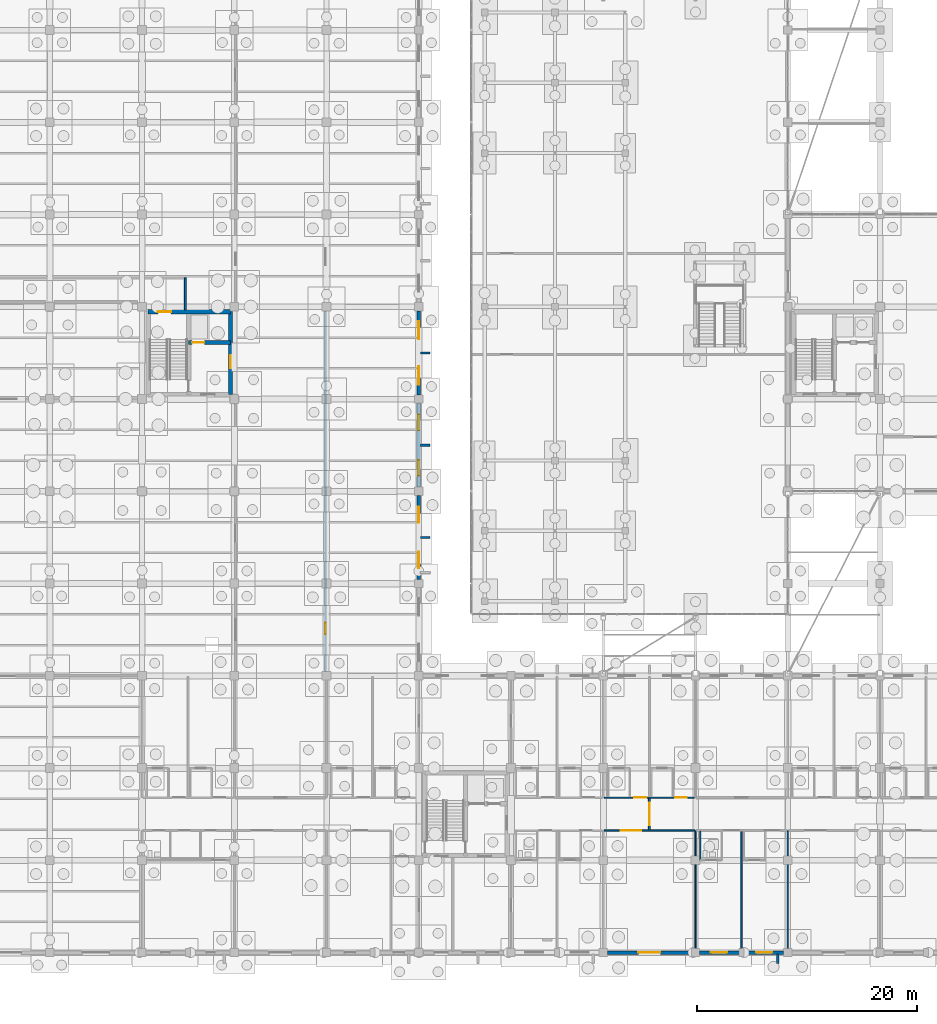
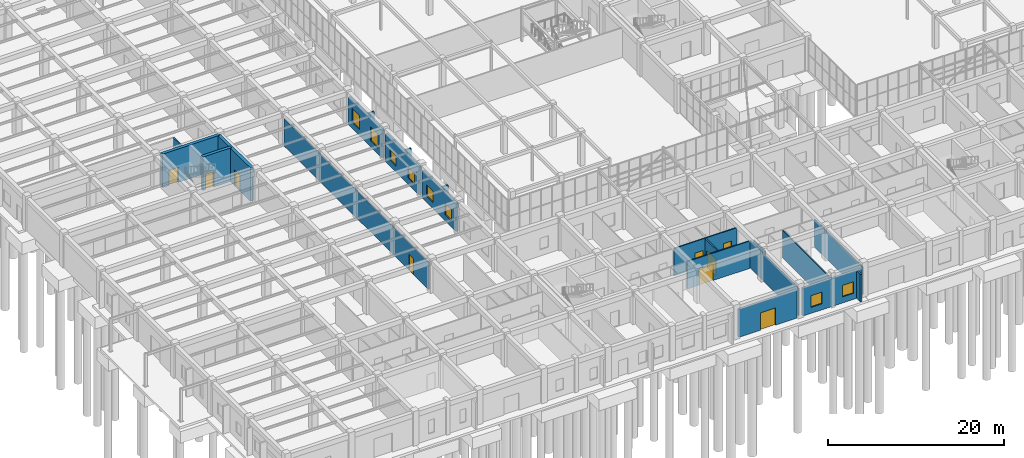
# One storey, part 153 of 192: 21 walls, 9 doors, 8 windows, 17 openings.
"""IFC4 building model written with IfcOpenShell, lengths in metres."""

from ifc_helpers import new_model, si_unit, direction, frame, frame_2d, origin, place, context, subcontext, project, spatial, rectangle, extrude, material, layer, layer_set, type_object, element, fill, save


model = new_model("IFC4")

# Units and contexts
model_context = context("Model", 3, precision=1e-05, world=origin(), true_north=direction((0.0, 1.0)))
body_context = subcontext(model_context, "Body", "Model", "MODEL_VIEW")
ifc_project = project(units=[si_unit("LENGTHUNIT", "METRE"), si_unit("AREAUNIT", "SQUARE_METRE"), si_unit("VOLUMEUNIT", "CUBIC_METRE"), si_unit("PLANEANGLEUNIT", "RADIAN"), si_unit("MASSUNIT", "GRAM", prefix="KILO")], contexts=[model_context])

# Site, building, storey
site_placement = place(None, origin())
site = spatial("IfcSite", under=ifc_project, at=site_placement, CompositionType="ELEMENT")
building_placement = place(site_placement, origin())
building = spatial("IfcBuilding", under=site, at=building_placement, Name="Trelvath General Hospital", CompositionType="ELEMENT")
storey_placement = place(building_placement, origin())
storey = spatial("IfcBuildingStorey", under=building, at=storey_placement, Name="L00", CompositionType="ELEMENT", Elevation=0.0)

# Walls
ifc_material_1 = material(Name="Precast concrete C40/50", Category="concrete")
ifc_layer_1 = layer(ifc_material_1, 0.199951171875)
ifc_layer_set_1 = layer_set([ifc_layer_1], Name="Precast concrete C40/50")
wall_type_1 = type_object("IfcWallType", Name="BriseSoleilRib 200", PredefinedType="ELEMENTEDWALL", material=ifc_layer_set_1)
for number, where, z_axis, x_axis, name in (
    (1, (42.14990234375, 37.800048828125, 0.0), (0.0, 0.0, 1.0), (1.0, 0.0, 0.0), "Precast Concrete Brise-Soleil Rib Fin L00-15"),
    (2, (42.14990234375, 46.199951171875, 0.0), (0.0, 0.0, 1.0), (1.0, 0.0, 0.0), "Precast Concrete Brise-Soleil Rib Fin L00-16"),
    (3, (42.14990234375, 54.60009765625, 0.0), (0.0, 0.0, 1.0), (1.0, 0.0, 0.0), "Precast Concrete Brise-Soleil Rib Fin L00-17"),
    (4, (74.689453125, -0.14990234375, 0.0), (0.0, 0.0, 1.0), (0.0, -1.0, 0.0), "Precast Concrete Brise-Soleil Rib Fin L00-30"),
):
    element("IfcWall", number, at=place(storey_placement, frame(where, z_axis=z_axis, x_axis=x_axis)), inside=storey, type_object=wall_type_1, Name=name, PredefinedType="ELEMENTEDWALL", context=body_context, shape_type="SweptSolid", body=[
        extrude(rectangle(XDim=0.85009765625, YDim=0.199951171875, at=frame_2d((0.425048828125, 0.0))), origin(), (0.0, 0.0, 1.0), 3.800048828125),
    ])

# Wall, opening, door
ifc_material_2 = material(Name="Gypsum acoustic steel-stud partition", Category="steel")
ifc_layer_2 = layer(ifc_material_2, 0.14990234375)
ifc_layer_set_2 = layer_set([ifc_layer_2], Name="Gypsum acoustic steel-stud partition")
wall_type_2 = type_object("IfcWallType", Name="ClinicalPartition 150", PredefinedType="PARTITIONING", material=ifc_layer_set_2)
wall_1_placement = place(storey_placement, frame((58.8798828125, 11.10009765625, 0.0), z_axis=(0.0, 0.0, 1.0), x_axis=(1.0, 0.0, 0.0)))
wall_1 = element("IfcWall", 5, at=wall_1_placement, inside=storey, type_object=wall_type_2, Name="Corridor Partition L00-64", PredefinedType="PARTITIONING", context=body_context, shape_type="SweptSolid", body=[
    extrude(rectangle(XDim=8.240234375, YDim=0.14990234375, at=frame_2d((4.1201171875, 0.0))), origin(), (0.0, 0.0, 1.0), 3.800048828125),
])
opening_1_placement = place(wall_1_placement, frame((1.530029296875, 0.0, 0.0)))
opening_1 = element("IfcOpeningElement", 6, at=opening_1_placement, cuts=wall_1, Name="Opening D-0-0313", PredefinedType="OPENING", context=body_context, shape_type="SweptSolid", body=[
    extrude(rectangle(XDim=1.85009765625, YDim=2.300048828125, at=frame_2d((0.925048828125, 1.14990234375))), frame((0.0, 0.0849609375, 0.0), z_axis=(0.0, -1.0, 0.0), x_axis=(1.0, 0.0, 0.0)), (0.0, 0.0, 1.0), 0.169921875),
])
ifc_material_3 = material(Name="Fire-rated steel cross-corridor pair", Category="steel")
door_type_1 = type_object("IfcDoorType", Name="Door SmokeCross 1850x2300", OperationType="DOUBLE_SWING_LEFT", PredefinedType="DOOR", material=ifc_material_3)
door_1_placement = place(opening_1_placement, origin())
door_1 = element("IfcDoor", 7, at=door_1_placement, inside=storey, type_object=door_type_1, Name="Waiting Lounge Door L00-313", OperationType="DOUBLE_SWING_LEFT", OverallHeight=2.300048828125, OverallWidth=1.85009765625, PredefinedType="DOOR", context=body_context, shape_type="SweptSolid", body=[
    extrude(rectangle(XDim=1.85009765625, YDim=2.300048828125, at=frame_2d((0.925048828125, 1.14990234375))), frame((0.0, 0.02490234375, 0.0), z_axis=(0.0, -1.0, 0.0), x_axis=(1.0, 0.0, 0.0)), (0.0, 0.0, 1.0), 0.050048828125),
])
fill(opening_1, door_1)

# Wall, openings, doors
wall_2_placement = place(storey_placement, frame((67.1201171875, 14.10009765625, 0.0), z_axis=(0.0, 0.0, 1.0), x_axis=(-1.0, 0.0, 0.0)))
wall_2 = element("IfcWall", 8, at=wall_2_placement, inside=storey, type_object=wall_type_2, Name="Corridor Partition N L00-65", PredefinedType="PARTITIONING", context=body_context, shape_type="SweptSolid", body=[
    extrude(rectangle(XDim=8.240234375, YDim=0.14990234375, at=frame_2d((4.1201171875, 0.0))), origin(), (0.0, 0.0, 1.0), 3.800048828125),
])
opening_2_placement = place(wall_2_placement, frame((0.72998046875, 0.0, 0.0)))
opening_2 = element("IfcOpeningElement", 9, at=opening_2_placement, cuts=wall_2, Name="Opening D-0-0314", PredefinedType="OPENING", context=body_context, shape_type="SweptSolid", body=[
    extrude(rectangle(XDim=1.050048828125, YDim=2.199951171875, at=frame_2d((0.52490234375, 1.10009765625))), frame((0.0, 0.0849609375, 0.0), z_axis=(0.0, -1.0, 0.0), x_axis=(1.0, 0.0, 0.0)), (0.0, 0.0, 1.0), 0.169921875),
])
opening_3_placement = place(wall_2_placement, frame((4.429931640625, 0.0, 0.0)))
opening_3 = element("IfcOpeningElement", 10, at=opening_3_placement, cuts=wall_2, Name="Opening D-0-0315", PredefinedType="OPENING", context=body_context, shape_type="SweptSolid", body=[
    extrude(rectangle(XDim=1.050048828125, YDim=2.199951171875, at=frame_2d((0.52490234375, 1.10009765625))), frame((0.0, 0.0849609375, 0.0), z_axis=(0.0, -1.0, 0.0), x_axis=(1.0, 0.0, 0.0)), (0.0, 0.0, 1.0), 0.169921875),
])
ifc_material_4 = material(Name="Acoustic hospital timber leaf", Category="wood")
door_type_2 = type_object("IfcDoorType", Name="Door Consult 1050x2200", OperationType="NOTDEFINED", PredefinedType="DOOR", material=ifc_material_4)
door_2_placement = place(opening_2_placement, origin())
door_2 = element("IfcDoor", 11, at=door_2_placement, inside=storey, type_object=door_type_2, Name="Patient Room Door N L00-314", OperationType="SINGLE_SWING_LEFT", OverallHeight=2.199951171875, OverallWidth=1.050048828125, PredefinedType="DOOR", context=body_context, shape_type="SweptSolid", body=[
    extrude(rectangle(XDim=1.050048828125, YDim=2.199951171875, at=frame_2d((0.52490234375, 1.10009765625))), frame((0.0, 0.02490234375, 0.0), z_axis=(0.0, -1.0, 0.0), x_axis=(1.0, 0.0, 0.0)), (0.0, 0.0, 1.0), 0.050048828125),
])
fill(opening_2, door_2)
door_3_placement = place(opening_3_placement, origin())
door_3 = element("IfcDoor", 12, at=door_3_placement, inside=storey, type_object=door_type_2, Name="Patient Room Door N L00-315", OperationType="SINGLE_SWING_LEFT", OverallHeight=2.199951171875, OverallWidth=1.050048828125, PredefinedType="DOOR", context=body_context, shape_type="SweptSolid", body=[
    extrude(rectangle(XDim=1.050048828125, YDim=2.199951171875, at=frame_2d((0.52490234375, 1.10009765625))), frame((0.0, 0.02490234375, 0.0), z_axis=(0.0, -1.0, 0.0), x_axis=(1.0, 0.0, 0.0)), (0.0, 0.0, 1.0), 0.050048828125),
])
fill(opening_3, door_3)

# Wall, opening, door
wall_3_placement = place(storey_placement, frame((33.5, 25.60009765625, 0.0), z_axis=(0.0, 0.0, 1.0), x_axis=(0.0, 1.0, 0.0)))
wall_3 = element("IfcWall", 13, at=wall_3_placement, inside=storey, type_object=wall_type_2, Name="Ultrasound Partition L00-326", PredefinedType="PARTITIONING", context=body_context, shape_type="SweptSolid", body=[
    extrude(rectangle(XDim=32.7998046875, YDim=0.14990234375, at=frame_2d((16.39990234375, 0.0))), origin(), (0.0, 0.0, 1.0), 3.800048828125),
])
opening_4_placement = place(wall_3_placement, frame((3.39990234375, 0.0, 0.0)))
opening_4 = element("IfcOpeningElement", 14, at=opening_4_placement, cuts=wall_3, Name="Opening D-0-0445", PredefinedType="OPENING", context=body_context, shape_type="SweptSolid", body=[
    extrude(rectangle(XDim=1.050048828125, YDim=2.199951171875, at=frame_2d((0.52490234375, 1.10009765625))), frame((0.0, 0.0849609375, 0.0), z_axis=(0.0, -1.0, 0.0), x_axis=(1.0, 0.0, 0.0)), (0.0, 0.0, 1.0), 0.169921875),
])
door_4_placement = place(opening_4_placement, origin())
door_4 = element("IfcDoor", 15, at=door_4_placement, inside=storey, type_object=door_type_2, Name="Ultrasound Door L00-445", OperationType="SINGLE_SWING_RIGHT", OverallHeight=2.199951171875, OverallWidth=1.050048828125, PredefinedType="DOOR", context=body_context, shape_type="SweptSolid", body=[
    extrude(rectangle(XDim=1.050048828125, YDim=2.199951171875, at=frame_2d((0.52490234375, 1.10009765625))), frame((0.0, 0.02490234375, 0.0), z_axis=(0.0, -1.0, 0.0), x_axis=(1.0, 0.0, 0.0)), (0.0, 0.0, 1.0), 0.050048828125),
])
fill(opening_4, door_4)

ifc_material_5 = material(Name="Concrete C40/50", Category="concrete")
ifc_layer_3 = layer(ifc_material_5, 0.39990234375)
ifc_layer_set_3 = layer_set([ifc_layer_3], Name="Concrete C40/50")
wall_type_3 = type_object("IfcWallType", Name="CoreShearWall 400", PredefinedType="SHEAR", material=ifc_layer_set_3)
wall_4_placement = place(storey_placement, frame((17.35009765625, 58.35009765625, 0.0), z_axis=(0.0, 0.0, 1.0), x_axis=(1.0, 0.0, 0.0)))
wall_4 = element("IfcWall", 16, at=wall_4_placement, inside=storey, type_object=wall_type_3, Name="Core Shear Wall C8 N L00", PredefinedType="SHEAR", context=body_context, shape_type="SweptSolid", body=[
    extrude(rectangle(XDim=7.5, YDim=0.39990234375, at=frame_2d((3.75, 0.0))), origin(), (0.0, 0.0, 1.0), 4.639892578125),
])
opening_5_placement = place(wall_4_placement, frame((0.89990234375, 0.0, 0.0)))
opening_5 = element("IfcOpeningElement", 17, at=opening_5_placement, cuts=wall_4, Name="Opening FD-EX8", PredefinedType="OPENING", context=body_context, shape_type="SweptSolid", body=[
    extrude(rectangle(XDim=1.199951171875, YDim=2.10009765625, at=frame_2d((0.60009765625, 1.050048828125))), frame((0.0, 0.2099609375, 0.0), z_axis=(0.0, -1.0, 0.0), x_axis=(1.0, 0.0, 0.0)), (0.0, 0.0, 1.0), 0.419921875),
])
ifc_material_6 = material(Name="Fire-rated steel door", Category="steel")
door_type_3 = type_object("IfcDoorType", Name="Door FireLobby 1200x2100", OperationType="NOTDEFINED", PredefinedType="DOOR", material=ifc_material_6)
door_5_placement = place(opening_5_placement, origin())
door_5 = element("IfcDoor", 18, at=door_5_placement, inside=storey, type_object=door_type_3, Name="Exit Stair Discharge Door ST8 L00", OperationType="SINGLE_SWING_LEFT", OverallHeight=2.10009765625, OverallWidth=1.199951171875, PredefinedType="DOOR", context=body_context, shape_type="SweptSolid", body=[
    extrude(rectangle(XDim=1.199951171875, YDim=2.10009765625, at=frame_2d((0.60009765625, 1.050048828125))), frame((0.0, 0.02490234375, 0.0), z_axis=(0.0, -1.0, 0.0), x_axis=(1.0, 0.0, 0.0)), (0.0, 0.0, 1.0), 0.050048828125),
])
fill(opening_5, door_5)

wall_5_placement = place(storey_placement, frame((24.85009765625, 50.800048828125, 0.0), z_axis=(0.0, 0.0, 1.0), x_axis=(0.0, 1.0, 0.0)))
wall_5 = element("IfcWall", 19, at=wall_5_placement, inside=storey, type_object=wall_type_3, Name="Core Shear Wall C8 E L00", PredefinedType="SHEAR", context=body_context, shape_type="SweptSolid", body=[
    extrude(rectangle(XDim=7.550048828125, YDim=0.39990234375, at=frame_2d((3.77490234375, 0.0))), origin(), (0.0, 0.0, 1.0), 4.639892578125),
])
opening_6_placement = place(wall_5_placement, frame((2.39990234375, 0.0, 0.0)))
opening_6 = element("IfcOpeningElement", 20, at=opening_6_placement, cuts=wall_5, Name="Opening FD-LE80", PredefinedType="OPENING", context=body_context, shape_type="SweptSolid", body=[
    extrude(rectangle(XDim=1.199951171875, YDim=2.199951171875, at=frame_2d((0.60009765625, 1.10009765625))), frame((0.0, 0.2099609375, 0.0), z_axis=(0.0, -1.0, 0.0), x_axis=(1.0, 0.0, 0.0)), (0.0, 0.0, 1.0), 0.419921875),
])
ifc_material_7 = material(Name="Fire-rated steel door", Category="steel")
door_type_4 = type_object("IfcDoorType", Name="Door FireLobby 1200x2200", OperationType="NOTDEFINED", PredefinedType="DOOR", material=ifc_material_7)
door_6_placement = place(opening_6_placement, origin())
door_6 = element("IfcDoor", 21, at=door_6_placement, inside=storey, type_object=door_type_4, Name="Fire Lobby East Corridor Door C8 L00", OperationType="SINGLE_SWING_RIGHT", OverallHeight=2.199951171875, OverallWidth=1.199951171875, PredefinedType="DOOR", context=body_context, shape_type="SweptSolid", body=[
    extrude(rectangle(XDim=1.199951171875, YDim=2.199951171875, at=frame_2d((0.60009765625, 1.10009765625))), frame((0.0, 0.02490234375, 0.0), z_axis=(0.0, -1.0, 0.0), x_axis=(1.0, 0.0, 0.0)), (0.0, 0.0, 1.0), 0.050048828125),
])
fill(opening_6, door_6)

wall_6_placement = place(storey_placement, frame((21.050048828125, 55.550048828125, 0.0), z_axis=(0.0, 0.0, 1.0), x_axis=(1.0, 0.0, 0.0)))
wall_6 = element("IfcWall", 22, at=wall_6_placement, inside=storey, type_object=wall_type_3, Name="Core Shear Wall C8 SHAFT L00", PredefinedType="SHEAR", context=body_context, shape_type="SweptSolid", body=[
    extrude(rectangle(XDim=3.800048828125, YDim=0.39990234375, at=frame_2d((1.89990234375, 0.0))), origin(), (0.0, 0.0, 1.0), 4.639892578125),
])
opening_7_placement = place(wall_6_placement, frame((0.320068359375, 0.0, 0.0)))
opening_7 = element("IfcOpeningElement", 23, at=opening_7_placement, cuts=wall_6, Name="Opening LD-SL1-0", PredefinedType="OPENING", context=body_context, shape_type="SweptSolid", body=[
    extrude(rectangle(XDim=1.10009765625, YDim=2.14990234375, at=frame_2d((0.550048828125, 1.074951171875))), frame((0.0, 0.2099609375, 0.0), z_axis=(0.0, -1.0, 0.0), x_axis=(1.0, 0.0, 0.0)), (0.0, 0.0, 1.0), 0.419921875),
])
ifc_material_8 = material(Name="Stainless steel lift landing sliding door", Category="steel")
door_type_5 = type_object("IfcDoorType", Name="Door LiftLanding 1100x2150", OperationType="SLIDING_TO_LEFT", PredefinedType="DOOR", material=ifc_material_8)
door_7_placement = place(opening_7_placement, origin())
door_7 = element("IfcDoor", 24, at=door_7_placement, inside=storey, type_object=door_type_5, Name="Lift Landing Sliding Door LF-SL1 L00", OperationType="SLIDING_TO_LEFT", OverallHeight=2.14990234375, OverallWidth=1.10009765625, PredefinedType="DOOR", context=body_context, shape_type="SweptSolid", body=[
    extrude(rectangle(XDim=1.10009765625, YDim=2.14990234375, at=frame_2d((0.550048828125, 1.074951171875))), frame((0.0, 0.02490234375, 0.0), z_axis=(0.0, -1.0, 0.0), x_axis=(1.0, 0.0, 0.0)), (0.0, 0.0, 1.0), 0.050048828125),
])
fill(opening_7, door_7)

# Wall
ifc_material_9 = material(Name="Moisture-resistant tile partition")
ifc_layer_4 = layer(ifc_material_9, 0.110107421875)
ifc_layer_set_4 = layer_set([ifc_layer_4], Name="Moisture-resistant tile partition")
wall_type_4 = type_object("IfcWallType", Name="EnSuiteWetWall 110", PredefinedType="PARTITIONING", material=ifc_layer_set_4)
wall_7_placement = place(storey_placement, frame((67.6201171875, 8.419921875, 0.0), z_axis=(0.0, 0.0, 1.0), x_axis=(0.0, 1.0, 0.0)))
element("IfcWall", 25, at=wall_7_placement, inside=storey, type_object=wall_type_4, Name="En-Suite W Wall L00-78", PredefinedType="PARTITIONING", context=body_context, shape_type="SweptSolid", body=[
    extrude(rectangle(XDim=2.610107421875, YDim=0.110107421875, at=frame_2d((1.30517578125, 0.0))), origin(), (0.0, 0.0, 1.0), 3.800048828125),
])

# Wall, openings, windows
ifc_material_10 = material(Name="Concrete C35/45", Category="concrete")
ifc_layer_5 = layer(ifc_material_10, 0.320068359375)
ifc_layer_set_5 = layer_set([ifc_layer_5], Name="Concrete C35/45")
wall_type_5 = type_object("IfcWallType", Name="ExtThermalWall 320", PredefinedType="SOLIDWALL", material=ifc_layer_set_5)
wall_8_placement = place(storey_placement, frame((42.0, 41.625, 0.0), z_axis=(0.0, 0.0, 1.0), x_axis=(0.0, -1.0, 0.0)))
wall_8 = element("IfcWall", 26, at=wall_8_placement, inside=storey, type_object=wall_type_5, Name="Exterior Concrete Wall L00-25", PredefinedType="SOLIDWALL", context=body_context, shape_type="SweptSolid", body=[
    extrude(rectangle(XDim=7.64990234375, YDim=0.320068359375, at=frame_2d((3.824951171875, 0.0))), origin(), (0.0, 0.0, 1.0), 3.820068359375),
])
opening_8_placement = place(wall_8_placement, frame((1.01953125, 0.0, 0.85009765625)))
opening_8 = element("IfcOpeningElement", 27, at=opening_8_placement, cuts=wall_8, Name="Opening WN-0-031", PredefinedType="OPENING", context=body_context, shape_type="SweptSolid", body=[
    extrude(rectangle(XDim=1.47998046875, YDim=1.60009765625, at=frame_2d((0.739990234375, 0.800048828125))), frame((0.0, 0.169921875, 0.0), z_axis=(0.0, -1.0, 0.0), x_axis=(1.0, 0.0, 0.0)), (0.0, 0.0, 1.0), 0.340087890625),
])
opening_9_placement = place(wall_8_placement, frame((5.150390625, 0.0, 0.85009765625)))
opening_9 = element("IfcOpeningElement", 28, at=opening_9_placement, cuts=wall_8, Name="Opening WN-0-032", PredefinedType="OPENING", context=body_context, shape_type="SweptSolid", body=[
    extrude(rectangle(XDim=1.47998046875, YDim=1.60009765625, at=frame_2d((0.739990234375, 0.800048828125))), frame((0.0, 0.169921875, 0.0), z_axis=(0.0, -1.0, 0.0), x_axis=(1.0, 0.0, 0.0)), (0.0, 0.0, 1.0), 0.340087890625),
])
ifc_material_11 = material(Name="Low-E laminated glass", Category="glass")
window_type_1 = type_object("IfcWindowType", Name="Window Clinic 1480x1600", PartitioningType="DOUBLE_PANEL_VERTICAL", PredefinedType="WINDOW", material=ifc_material_11)
window_1_placement = place(opening_8_placement, origin())
window_1 = element("IfcWindow", 29, at=window_1_placement, inside=storey, type_object=window_type_1, Name="Solar Reveal Window L00-31", OverallHeight=1.60009765625, OverallWidth=1.47998046875, PartitioningType="SINGLE_PANEL", PredefinedType="WINDOW", context=body_context, shape_type="SweptSolid", body=[
    extrude(rectangle(XDim=1.47998046875, YDim=1.60009765625, at=frame_2d((0.739990234375, 0.800048828125))), frame((0.0, 0.030029296875, 0.0), z_axis=(0.0, -1.0, 0.0), x_axis=(1.0, 0.0, 0.0)), (0.0, 0.0, 1.0), 0.06005859375),
])
fill(opening_8, window_1)
window_2_placement = place(opening_9_placement, origin())
window_2 = element("IfcWindow", 30, at=window_2_placement, inside=storey, type_object=window_type_1, Name="Solar Reveal Window L00-32", OverallHeight=1.60009765625, OverallWidth=1.47998046875, PartitioningType="SINGLE_PANEL", PredefinedType="WINDOW", context=body_context, shape_type="SweptSolid", body=[
    extrude(rectangle(XDim=1.47998046875, YDim=1.60009765625, at=frame_2d((0.739990234375, 0.800048828125))), frame((0.0, 0.030029296875, 0.0), z_axis=(0.0, -1.0, 0.0), x_axis=(1.0, 0.0, 0.0)), (0.0, 0.0, 1.0), 0.06005859375),
])
fill(opening_9, window_2)

wall_9_placement = place(storey_placement, frame((42.0, 50.02490234375, 0.0), z_axis=(0.0, 0.0, 1.0), x_axis=(0.0, -1.0, 0.0)))
wall_9 = element("IfcWall", 31, at=wall_9_placement, inside=storey, type_object=wall_type_5, Name="Exterior Concrete Wall L00-26", PredefinedType="SOLIDWALL", context=body_context, shape_type="SweptSolid", body=[
    extrude(rectangle(XDim=7.64990234375, YDim=0.320068359375, at=frame_2d((3.824951171875, 0.0))), origin(), (0.0, 0.0, 1.0), 3.820068359375),
])
opening_10_placement = place(wall_9_placement, frame((1.049560546875, 0.0, 0.85009765625)))
opening_10 = element("IfcOpeningElement", 32, at=opening_10_placement, cuts=wall_9, Name="Opening WN-0-033", PredefinedType="OPENING", context=body_context, shape_type="SweptSolid", body=[
    extrude(rectangle(XDim=1.419921875, YDim=1.449951171875, at=frame_2d((0.7099609375, 0.72509765625))), frame((0.0, 0.169921875, 0.0), z_axis=(0.0, -1.0, 0.0), x_axis=(1.0, 0.0, 0.0)), (0.0, 0.0, 1.0), 0.340087890625),
])
opening_11_placement = place(wall_9_placement, frame((5.180419921875, 0.0, 0.85009765625)))
opening_11 = element("IfcOpeningElement", 33, at=opening_11_placement, cuts=wall_9, Name="Opening WN-0-034", PredefinedType="OPENING", context=body_context, shape_type="SweptSolid", body=[
    extrude(rectangle(XDim=1.419921875, YDim=1.449951171875, at=frame_2d((0.7099609375, 0.72509765625))), frame((0.0, 0.169921875, 0.0), z_axis=(0.0, -1.0, 0.0), x_axis=(1.0, 0.0, 0.0)), (0.0, 0.0, 1.0), 0.340087890625),
])
ifc_material_12 = material(Name="Low-E laminated glass", Category="glass")
window_type_2 = type_object("IfcWindowType", Name="Window Lab 1420x1450", PartitioningType="DOUBLE_PANEL_VERTICAL", PredefinedType="WINDOW", material=ifc_material_12)
window_3_placement = place(opening_10_placement, origin())
window_3 = element("IfcWindow", 34, at=window_3_placement, inside=storey, type_object=window_type_2, Name="Solar Reveal Window L00-33", OverallHeight=1.449951171875, OverallWidth=1.419921875, PartitioningType="SINGLE_PANEL", PredefinedType="WINDOW", context=body_context, shape_type="SweptSolid", body=[
    extrude(rectangle(XDim=1.419921875, YDim=1.449951171875, at=frame_2d((0.7099609375, 0.72509765625))), frame((0.0, 0.030029296875, 0.0), z_axis=(0.0, -1.0, 0.0), x_axis=(1.0, 0.0, 0.0)), (0.0, 0.0, 1.0), 0.06005859375),
])
fill(opening_10, window_3)
window_4_placement = place(opening_11_placement, origin())
window_4 = element("IfcWindow", 35, at=window_4_placement, inside=storey, type_object=window_type_2, Name="Solar Reveal Window L00-34", OverallHeight=1.449951171875, OverallWidth=1.419921875, PartitioningType="SINGLE_PANEL", PredefinedType="WINDOW", context=body_context, shape_type="SweptSolid", body=[
    extrude(rectangle(XDim=1.419921875, YDim=1.449951171875, at=frame_2d((0.7099609375, 0.72509765625))), frame((0.0, 0.030029296875, 0.0), z_axis=(0.0, -1.0, 0.0), x_axis=(1.0, 0.0, 0.0)), (0.0, 0.0, 1.0), 0.06005859375),
])
fill(opening_11, window_4)

wall_10_placement = place(storey_placement, frame((42.0, 58.425048828125, 0.0), z_axis=(0.0, 0.0, 1.0), x_axis=(0.0, -1.0, 0.0)))
wall_10 = element("IfcWall", 36, at=wall_10_placement, inside=storey, type_object=wall_type_5, Name="Exterior Concrete Wall L00-27", PredefinedType="SOLIDWALL", context=body_context, shape_type="SweptSolid", body=[
    extrude(rectangle(XDim=7.650146484375, YDim=0.320068359375, at=frame_2d((3.8251953125, 0.0))), origin(), (0.0, 0.0, 1.0), 3.820068359375),
])
opening_12_placement = place(wall_10_placement, frame((0.929443359375, 0.0, 0.85009765625)))
opening_12 = element("IfcOpeningElement", 37, at=opening_12_placement, cuts=wall_10, Name="Opening WN-0-035", PredefinedType="OPENING", context=body_context, shape_type="SweptSolid", body=[
    extrude(rectangle(XDim=1.659912109375, YDim=1.949951171875, at=frame_2d((0.830078125, 0.97509765625))), frame((0.0, 0.169921875, 0.0), z_axis=(0.0, -1.0, 0.0), x_axis=(1.0, 0.0, 0.0)), (0.0, 0.0, 1.0), 0.340087890625),
])
opening_13_placement = place(wall_10_placement, frame((5.060546875, 0.0, 0.85009765625)))
opening_13 = element("IfcOpeningElement", 38, at=opening_13_placement, cuts=wall_10, Name="Opening WN-0-036", PredefinedType="OPENING", context=body_context, shape_type="SweptSolid", body=[
    extrude(rectangle(XDim=1.659912109375, YDim=1.949951171875, at=frame_2d((0.830078125, 0.97509765625))), frame((0.0, 0.169921875, 0.0), z_axis=(0.0, -1.0, 0.0), x_axis=(1.0, 0.0, 0.0)), (0.0, 0.0, 1.0), 0.340087890625),
])
ifc_material_13 = material(Name="Low-E laminated glass", Category="glass")
window_type_3 = type_object("IfcWindowType", Name="Window Dayroom 1660x1950", PartitioningType="DOUBLE_PANEL_VERTICAL", PredefinedType="WINDOW", material=ifc_material_13)
window_5_placement = place(opening_12_placement, origin())
window_5 = element("IfcWindow", 39, at=window_5_placement, inside=storey, type_object=window_type_3, Name="Solar Reveal Window L00-35", OverallHeight=1.949951171875, OverallWidth=1.659912109375, PartitioningType="SINGLE_PANEL", PredefinedType="WINDOW", context=body_context, shape_type="SweptSolid", body=[
    extrude(rectangle(XDim=1.659912109375, YDim=1.949951171875, at=frame_2d((0.830078125, 0.97509765625))), frame((0.0, 0.030029296875, 0.0), z_axis=(0.0, -1.0, 0.0), x_axis=(1.0, 0.0, 0.0)), (0.0, 0.0, 1.0), 0.06005859375),
])
fill(opening_12, window_5)
window_6_placement = place(opening_13_placement, origin())
window_6 = element("IfcWindow", 40, at=window_6_placement, inside=storey, type_object=window_type_3, Name="Solar Reveal Window L00-36", OverallHeight=1.949951171875, OverallWidth=1.659912109375, PartitioningType="SINGLE_PANEL", PredefinedType="WINDOW", context=body_context, shape_type="SweptSolid", body=[
    extrude(rectangle(XDim=1.659912109375, YDim=1.949951171875, at=frame_2d((0.830078125, 0.97509765625))), frame((0.0, 0.030029296875, 0.0), z_axis=(0.0, -1.0, 0.0), x_axis=(1.0, 0.0, 0.0)), (0.0, 0.0, 1.0), 0.06005859375),
])
fill(opening_13, window_6)

# Wall, opening, door
wall_11_placement = place(storey_placement, frame((66.824951171875, 0.0, 0.0), z_axis=(0.0, 0.0, 1.0), x_axis=(-1.0, 0.0, 0.0)))
wall_11 = element("IfcWall", 41, at=wall_11_placement, inside=storey, type_object=wall_type_5, Name="Exterior Concrete Wall L00-41", PredefinedType="SOLIDWALL", context=body_context, shape_type="SweptSolid", body=[
    extrude(rectangle(XDim=7.64990234375, YDim=0.320068359375, at=frame_2d((3.824951171875, 0.0))), origin(), (0.0, 0.0, 1.0), 3.820068359375),
])
opening_14_placement = place(wall_11_placement, frame((2.824951171875, 0.0, 0.0)))
opening_14 = element("IfcOpeningElement", 42, at=opening_14_placement, cuts=wall_11, Name="Opening E03", PredefinedType="OPENING", context=body_context, shape_type="SweptSolid", body=[
    extrude(rectangle(XDim=2.0, YDim=2.39990234375, at=frame_2d((1.0, 1.199951171875))), frame((0.0, 0.169921875, 0.0), z_axis=(0.0, -1.0, 0.0), x_axis=(1.0, 0.0, 0.0)), (0.0, 0.0, 1.0), 0.340087890625),
])
ifc_material_14 = material(Name="Thermally broken glazed exit pair")
door_type_6 = type_object("IfcDoorType", Name="Door GradeExit 2000x2400", OperationType="DOUBLE_SWING_LEFT", PredefinedType="DOOR", material=ifc_material_14)
door_8_placement = place(opening_14_placement, origin())
door_8 = element("IfcDoor", 43, at=door_8_placement, inside=storey, type_object=door_type_6, Name="Pedestrian Final Exit Door E03", OperationType="DOUBLE_SWING_LEFT", OverallHeight=2.39990234375, OverallWidth=2.0, PredefinedType="DOOR", context=body_context, shape_type="SweptSolid", body=[
    extrude(rectangle(XDim=2.0, YDim=2.39990234375, at=frame_2d((1.0, 1.199951171875))), frame((0.0, 0.02490234375, 0.0), z_axis=(0.0, -1.0, 0.0), x_axis=(1.0, 0.0, 0.0)), (0.0, 0.0, 1.0), 0.050048828125),
])
fill(opening_14, door_8)

# Wall, openings, windows
wall_12_placement = place(storey_placement, frame((75.22509765625, 0.0, 0.0), z_axis=(0.0, 0.0, 1.0), x_axis=(-1.0, 0.0, 0.0)))
wall_12 = element("IfcWall", 44, at=wall_12_placement, inside=storey, type_object=wall_type_5, Name="Exterior Concrete Wall L00-45", PredefinedType="SOLIDWALL", context=body_context, shape_type="SweptSolid", body=[
    extrude(rectangle(XDim=7.650146484375, YDim=0.320068359375, at=frame_2d((3.8251953125, 0.0))), origin(), (0.0, 0.0, 1.0), 3.820068359375),
])
opening_15_placement = place(wall_12_placement, frame((1.01953125, 0.0, 0.85009765625)))
opening_15 = element("IfcOpeningElement", 45, at=opening_15_placement, cuts=wall_12, Name="Opening WN-0-067", PredefinedType="OPENING", context=body_context, shape_type="SweptSolid", body=[
    extrude(rectangle(XDim=1.47998046875, YDim=1.60009765625, at=frame_2d((0.739990234375, 0.800048828125))), frame((0.0, 0.169921875, 0.0), z_axis=(0.0, -1.0, 0.0), x_axis=(1.0, 0.0, 0.0)), (0.0, 0.0, 1.0), 0.340087890625),
])
opening_16_placement = place(wall_12_placement, frame((5.150390625, 0.0, 0.85009765625)))
opening_16 = element("IfcOpeningElement", 46, at=opening_16_placement, cuts=wall_12, Name="Opening WN-0-068", PredefinedType="OPENING", context=body_context, shape_type="SweptSolid", body=[
    extrude(rectangle(XDim=1.47998046875, YDim=1.60009765625, at=frame_2d((0.739990234375, 0.800048828125))), frame((0.0, 0.169921875, 0.0), z_axis=(0.0, -1.0, 0.0), x_axis=(1.0, 0.0, 0.0)), (0.0, 0.0, 1.0), 0.340087890625),
])
window_7_placement = place(opening_15_placement, origin())
window_7 = element("IfcWindow", 47, at=window_7_placement, inside=storey, type_object=window_type_1, Name="Solar Reveal Window L00-67", OverallHeight=1.60009765625, OverallWidth=1.47998046875, PartitioningType="SINGLE_PANEL", PredefinedType="WINDOW", context=body_context, shape_type="SweptSolid", body=[
    extrude(rectangle(XDim=1.47998046875, YDim=1.60009765625, at=frame_2d((0.739990234375, 0.800048828125))), frame((0.0, 0.030029296875, 0.0), z_axis=(0.0, -1.0, 0.0), x_axis=(1.0, 0.0, 0.0)), (0.0, 0.0, 1.0), 0.06005859375),
])
fill(opening_15, window_7)
window_8_placement = place(opening_16_placement, origin())
window_8 = element("IfcWindow", 48, at=window_8_placement, inside=storey, type_object=window_type_1, Name="Solar Reveal Window L00-68", OverallHeight=1.60009765625, OverallWidth=1.47998046875, PartitioningType="SINGLE_PANEL", PredefinedType="WINDOW", context=body_context, shape_type="SweptSolid", body=[
    extrude(rectangle(XDim=1.47998046875, YDim=1.60009765625, at=frame_2d((0.739990234375, 0.800048828125))), frame((0.0, 0.030029296875, 0.0), z_axis=(0.0, -1.0, 0.0), x_axis=(1.0, 0.0, 0.0)), (0.0, 0.0, 1.0), 0.06005859375),
])
fill(opening_16, window_8)

# Wall, opening, door
ifc_material_15 = material(Name="Masonry fire blockwork", Category="masonry")
ifc_layer_6 = layer(ifc_material_15, 0.179931640625)
ifc_layer_set_6 = layer_set([ifc_layer_6], Name="Masonry fire blockwork")
wall_type_6 = type_object("IfcWallType", Name="SmokeBarrierWall 180", PredefinedType="PARTITIONING", material=ifc_layer_set_6)
wall_13_placement = place(storey_placement, frame((63.0, 11.179931640625, 0.0), z_axis=(0.0, 0.0, 1.0), x_axis=(0.0, 1.0, 0.0)))
wall_13 = element("IfcWall", 49, at=wall_13_placement, inside=storey, type_object=wall_type_6, Name="Smoke Compartment Barrier L00-73", PredefinedType="PARTITIONING", context=body_context, shape_type="SweptSolid", body=[
    extrude(rectangle(XDim=2.840087890625, YDim=0.179931640625, at=frame_2d((1.419921875, 0.0))), origin(), (0.0, 0.0, 1.0), 3.800048828125),
])
opening_17_placement = place(wall_13_placement, frame((0.39501953125, 0.0, 0.0)))
opening_17 = element("IfcOpeningElement", 50, at=opening_17_placement, cuts=wall_13, Name="Opening SD-0-0318", PredefinedType="OPENING", context=body_context, shape_type="SweptSolid", body=[
    extrude(rectangle(XDim=2.050048828125, YDim=2.35009765625, at=frame_2d((1.02490234375, 1.175048828125))), frame((0.0, 0.099853515625, 0.0), z_axis=(0.0, -1.0, 0.0), x_axis=(1.0, 0.0, 0.0)), (0.0, 0.0, 1.0), 0.199951171875),
])
ifc_material_16 = material(Name="Fire-rated steel cross-corridor pair", Category="steel")
door_type_7 = type_object("IfcDoorType", Name="Door SmokeCross 2050x2350", OperationType="DOUBLE_SWING_LEFT", PredefinedType="DOOR", material=ifc_material_16)
door_9_placement = place(opening_17_placement, origin())
door_9 = element("IfcDoor", 51, at=door_9_placement, inside=storey, type_object=door_type_7, Name="Cross-Corridor Smoke Door L00-318", OperationType="SLIDING_TO_LEFT", OverallHeight=2.35009765625, OverallWidth=2.050048828125, PredefinedType="DOOR", context=body_context, shape_type="SweptSolid", body=[
    extrude(rectangle(XDim=2.050048828125, YDim=2.35009765625, at=frame_2d((1.02490234375, 1.175048828125))), frame((0.0, 0.02490234375, 0.0), z_axis=(0.0, -1.0, 0.0), x_axis=(1.0, 0.0, 0.0)), (0.0, 0.0, 1.0), 0.050048828125),
])
fill(opening_17, door_9)

# Walls
wall_14_placement = place(storey_placement, frame((20.739990234375, 58.530029296875, 0.0), z_axis=(0.0, 0.0, 1.0), x_axis=(0.0, 1.0, 0.0)))
element("IfcWall", 52, at=wall_14_placement, inside=storey, type_object=wall_type_6, Name="Exit Passage Fire Wall ST8 E L00", PredefinedType="PARTITIONING", context=body_context, shape_type="SweptSolid", body=[
    extrude(rectangle(XDim=2.909912109375, YDim=0.179931640625, at=frame_2d((1.455078125, 0.0))), origin(), (0.0, 0.0, 1.0), 3.800048828125),
])
ifc_material_17 = material(Name="Gypsum acoustic steel-stud partition", Category="steel")
ifc_layer_7 = layer(ifc_material_17, 0.1298828125)
ifc_layer_set_7 = layer_set([ifc_layer_7], Name="Gypsum acoustic steel-stud partition")
wall_type_7 = type_object("IfcWallType", Name="WardPartition 130", PredefinedType="PARTITIONING", material=ifc_layer_set_7)
wall_15_placement = place(storey_placement, frame((67.199951171875, 0.139892578125, 0.0), z_axis=(0.0, 0.0, 1.0), x_axis=(0.0, 1.0, 0.0)))
element("IfcWall", 53, at=wall_15_placement, inside=storey, type_object=wall_type_7, Name="Inter-Bay Ward Partition S L00-74", PredefinedType="PARTITIONING", context=body_context, shape_type="SweptSolid", body=[
    extrude(rectangle(XDim=10.940185546875, YDim=0.1298828125, at=frame_2d((5.47021484375, 0.0))), origin(), (0.0, 0.0, 1.0), 3.800048828125),
])
wall_16_placement = place(storey_placement, frame((71.39990234375, 0.10009765625, 0.0), z_axis=(0.0, 0.0, 1.0), x_axis=(0.0, 1.0, 0.0)))
element("IfcWall", 54, at=wall_16_placement, inside=storey, type_object=wall_type_7, Name="Room Dividing Partition S L00-77", PredefinedType="PARTITIONING", context=body_context, shape_type="SweptSolid", body=[
    extrude(rectangle(XDim=10.929931640625, YDim=0.1298828125, at=frame_2d((5.46484375, 0.0))), origin(), (0.0, 0.0, 1.0), 3.800048828125),
])
wall_17_placement = place(storey_placement, frame((75.60009765625, 0.139892578125, 0.0), z_axis=(0.0, 0.0, 1.0), x_axis=(0.0, 1.0, 0.0)))
element("IfcWall", 55, at=wall_17_placement, inside=storey, type_object=wall_type_7, Name="Inter-Bay Ward Partition S L00-85", PredefinedType="PARTITIONING", context=body_context, shape_type="SweptSolid", body=[
    extrude(rectangle(XDim=10.940185546875, YDim=0.1298828125, at=frame_2d((5.47021484375, 0.0))), origin(), (0.0, 0.0, 1.0), 3.800048828125),
])

save(model, "model.ifc")
